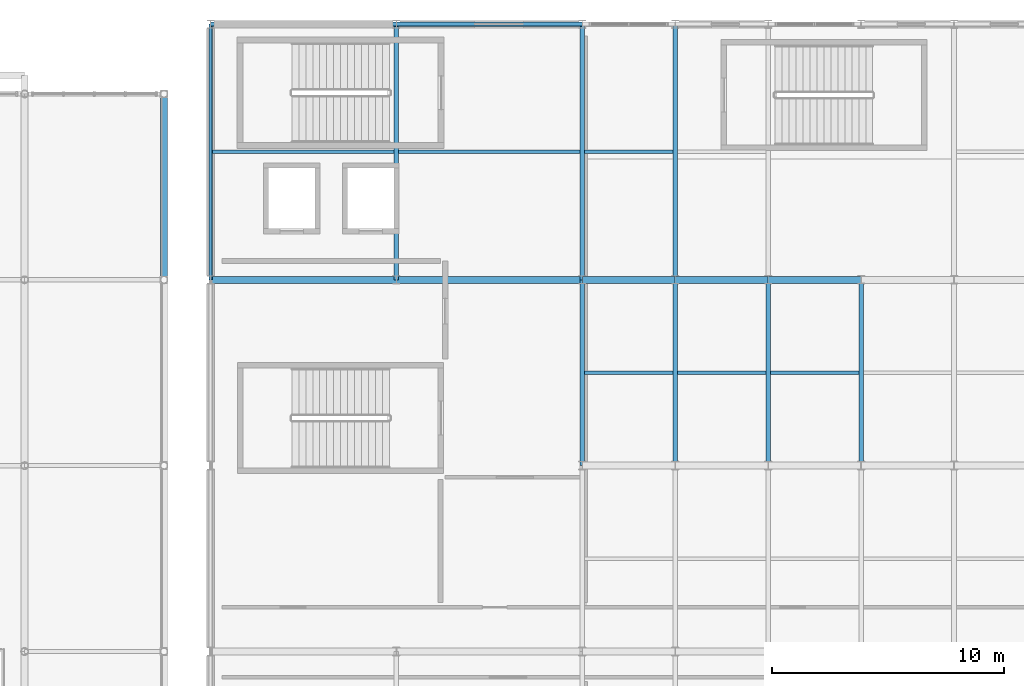
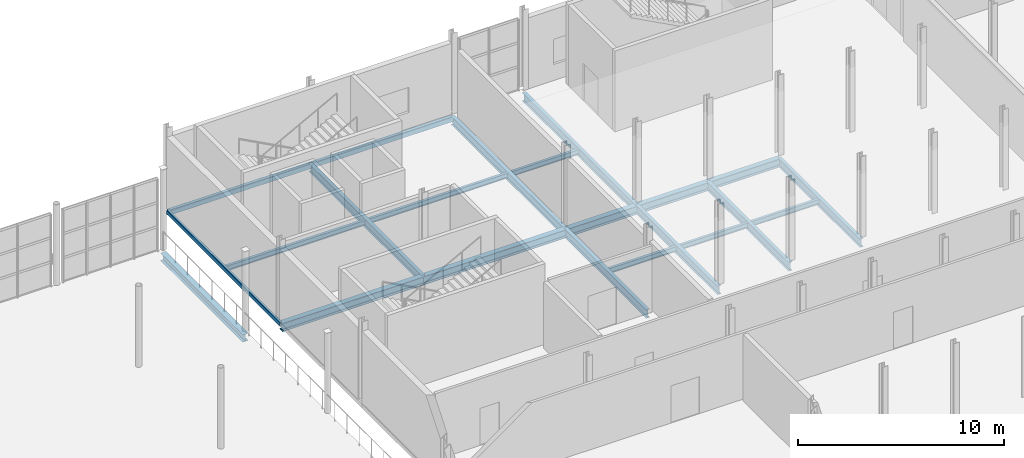
# One storey, part 75 of 143: 22 beams.
"""IFC4 building model written with IfcOpenShell, lengths in metres."""

import ifcopenshell
import ifcopenshell.guid

model = None  # the IFC model being written
_history = None  # IfcOwnerHistory: only IFC2X3 demands one
_inside = {}  # id of a spatial element -> (the spatial element, [elements in it])
_under = {}  # id of a project, library or spatial element -> (it, [spatial elements below it])
_declared = {}  # id of a project -> (the project, [libraries it declares])
_typed = {}  # id of a type object -> (the type object, [elements of that type])
_made_of = {}  # id of a material, layer set ... -> (it, [elements and type objects made of it])


def new_model(schema):
    """Start an empty IFC model of exactly this schema.

    Asked for "IFC4X3", IfcOpenShell would pick the latest addendum, in which some entities
    have other attributes; the version numbers below select the first issue.
    IFC2X3 requires an IfcOwnerHistory on every rooted entity: one is made here for all.
    """
    global model, _history
    if schema == "IFC4X3":
        model = ifcopenshell.file(schema_version=(4, 3, 0, 0))
    else:
        model = ifcopenshell.file(schema=schema)
    _inside.clear()
    _under.clear()
    _declared.clear()
    _typed.clear()
    _made_of.clear()
    _history = None
    if model.schema == "IFC2X3":
        org = make("IfcOrganization", Name="unknown")
        user = make(
            "IfcPersonAndOrganization",
            ThePerson=make("IfcPerson", FamilyName="unknown"),
            TheOrganization=org,
        )
        app = make(
            "IfcApplication",
            ApplicationDeveloper=org,
            Version="unknown",
            ApplicationFullName="unknown",
            ApplicationIdentifier="unknown",
        )
        _history = make(
            "IfcOwnerHistory",
            OwningUser=user,
            OwningApplication=app,
            ChangeAction="ADDED",
            CreationDate=0,
        )
    return model


def make(cls, **values):
    """One entity of the class cls with the attributes given. An attribute that is None is left unset."""
    return model.create_entity(
        cls, **{name: value for name, value in values.items() if value is not None}
    )


def rooted(cls, **values):
    """An entity with a GlobalId (a new one), such as an element, a storey or a relation."""
    return make(cls, GlobalId=ifcopenshell.guid.new(), OwnerHistory=_history, **values)


def si_unit(unit_type, name, prefix=None):
    """IfcSIUnit, for example si_unit("LENGTHUNIT", "METRE", prefix="MILLI")."""
    return make("IfcSIUnit", UnitType=unit_type, Prefix=prefix, Name=name)


def derived_unit(unit_type, elements):
    """IfcDerivedUnit: a product of units, each with its exponent."""
    return make(
        "IfcDerivedUnit",
        Elements=[
            make("IfcDerivedUnitElement", Unit=unit, Exponent=power)
            for unit, power in elements
        ],
        UnitType=unit_type,
    )


def assignment(units):
    """IfcUnitAssignment: the units of a project."""
    return None if units is None else make("IfcUnitAssignment", Units=units)


def point(xyz):
    """IfcCartesianPoint."""
    return None if xyz is None else make("IfcCartesianPoint", Coordinates=xyz)


def direction(xyz):
    """IfcDirection."""
    return None if xyz is None else make("IfcDirection", DirectionRatios=xyz)


def frame(location, z_axis=None, x_axis=None):
    """IfcAxis2Placement3D, a coordinate frame: its origin and axes. An axis left out is left unset."""
    return make(
        "IfcAxis2Placement3D",
        Location=point(location),
        Axis=direction(z_axis),
        RefDirection=direction(x_axis),
    )


def frame_2d(location, x_axis=None):
    """IfcAxis2Placement2D, a coordinate frame in the plane: its origin and x axis."""
    return make(
        "IfcAxis2Placement2D", Location=point(location), RefDirection=direction(x_axis)
    )


def origin():
    """The frame at (0, 0, 0) with its axes left unset."""
    return frame((0.0, 0.0, 0.0))


def origin_2d():
    """The frame at (0, 0) in the plane with its x axis left unset."""
    return frame_2d((0.0, 0.0))


def place(relative_to, where):
    """IfcLocalPlacement: puts the frame where relative to a parent placement (None: the world)."""
    return make(
        "IfcLocalPlacement", PlacementRelTo=relative_to, RelativePlacement=where
    )


def context(
    kind, dimensions, precision=None, world=None, true_north=None, identifier=None
):
    """IfcGeometricRepresentationContext, for example the 3D "Model" context."""
    return make(
        "IfcGeometricRepresentationContext",
        ContextIdentifier=identifier,
        ContextType=kind,
        CoordinateSpaceDimension=dimensions,
        Precision=precision,
        WorldCoordinateSystem=world,
        TrueNorth=true_north,
    )


def subcontext(parent, identifier, kind, view, scale=None):
    """IfcGeometricRepresentationSubContext, for example "Body" below "Model"."""
    return make(
        "IfcGeometricRepresentationSubContext",
        ContextIdentifier=identifier,
        ContextType=kind,
        ParentContext=parent,
        TargetScale=scale,
        TargetView=view,
    )


def project(units=None, contexts=None):
    """IfcProject with its units and contexts."""
    return rooted(
        "IfcProject",
        Name="project",
        RepresentationContexts=contexts,
        UnitsInContext=assignment(units),
    )


def spatial(cls, under=None, at=None, **own):
    """A site, building, storey or space (cls), placed at a placement, below another one or the project."""
    s = rooted(cls, ObjectPlacement=at, **own)
    if under is not None:
        _under.setdefault(under.id(), (under, []))[1].append(s)
    return s


def profile(cls, at=None, kind="AREA", **sizes):
    """A parametric profile (cls). Its sizes go by their IFC names, for example OverallWidth=200.0."""
    return make(cls, ProfileType=kind, Position=at, **sizes)


def hollow_rectangle(**sizes):
    """IfcRectangleHollowProfileDef."""
    return profile("IfcRectangleHollowProfileDef", **sizes)


def i_section(**sizes):
    """IfcIShapeProfileDef."""
    return profile("IfcIShapeProfileDef", **sizes)


def extrude(swept, where, along, depth):
    """IfcExtrudedAreaSolid: the profile swept, set in the frame where, extruded along a direction by depth."""
    return make(
        "IfcExtrudedAreaSolid",
        SweptArea=swept,
        Position=where,
        ExtrudedDirection=direction(along),
        Depth=depth,
    )


def shape(context_of_items, identifier, shape_type, items):
    """IfcShapeRepresentation: the items that make up one representation, for example the "Body"."""
    return make(
        "IfcShapeRepresentation",
        ContextOfItems=context_of_items,
        RepresentationIdentifier=identifier,
        RepresentationType=shape_type,
        Items=items,
    )


def material(Name=None, Category=None):
    """IfcMaterial."""
    return make("IfcMaterial", Name=Name, Category=Category)


def material_profile(
    of_material, cross_section, Name=None, Category=None, Priority=None
):
    """IfcMaterialProfile: a cross section and its material."""
    return make(
        "IfcMaterialProfile",
        Name=Name,
        Material=of_material,
        Profile=cross_section,
        Priority=Priority,
        Category=Category,
    )


def profile_set(profiles, Name=None, composite=None):
    """IfcMaterialProfileSet."""
    return make(
        "IfcMaterialProfileSet",
        Name=Name,
        MaterialProfiles=profiles,
        CompositeProfile=composite,
    )


def made_of(thing, what):
    """Note that an element or type object is made of a material, layer set ...; save() writes the relation."""
    if what is not None:
        _made_of.setdefault(what.id(), (what, []))[1].append(thing)
    return thing


def type_object(cls, material=None, **own):
    """A type object (cls), such as IfcWallType, which elements share."""
    return made_of(rooted(cls, **own), material)


def element(
    cls,
    number,
    at=None,
    inside=None,
    cuts=None,
    type_object=None,
    material=None,
    context=None,
    identifier="Body",
    shape_type=None,
    held_by="IfcProductDefinitionShape",
    body=None,
    shapes=None,
    **own,
):
    """One element of the class cls, such as IfcWall. Its Tag is "e" and its number.

    at: its placement. inside: the storey or other place that contains it. cuts: it is an
    opening in that element (IfcRelVoidsElement). A single representation is given by context,
    identifier, shape_type and body (its items); several are given by shapes. held_by: the class
    of the entity that holds the representations. save() writes the other relations.
    """
    e = rooted(cls, Tag="e%d" % number, ObjectPlacement=at, **own)
    if body is not None:
        shapes = [shape(context, identifier, shape_type, body)]
    if shapes is not None:
        e.Representation = make(held_by, Representations=shapes)
    if inside is not None:
        _inside.setdefault(inside.id(), (inside, []))[1].append(e)
    if cuts is not None:
        rooted(
            "IfcRelVoidsElement", RelatingBuildingElement=cuts, RelatedOpeningElement=e
        )
    if type_object is not None:
        _typed.setdefault(type_object.id(), (type_object, []))[1].append(e)
    return made_of(e, material)


def aggregate(whole, parts):
    """IfcRelAggregates: a whole, such as a stair, and the parts it consists of."""
    return rooted("IfcRelAggregates", RelatingObject=whole, RelatedObjects=parts)


def save(model, path):
    """Write the relations noted so far, then the file.

    IfcRelAggregates (storeys below a building ...), IfcRelContainedInSpatialStructure (elements
    in a storey), IfcRelDefinesByType, IfcRelAssociatesMaterial and IfcRelDeclares: one each for
    every whole, place, type object, material and project.
    """
    for whole, parts in _under.values():
        aggregate(whole, parts)
    for where, things in _inside.values():
        rooted(
            "IfcRelContainedInSpatialStructure",
            RelatedElements=things,
            RelatingStructure=where,
        )
    for kind, things in _typed.values():
        rooted("IfcRelDefinesByType", RelatedObjects=things, RelatingType=kind)
    for what, things in _made_of.values():
        rooted("IfcRelAssociatesMaterial", RelatedObjects=things, RelatingMaterial=what)
    for by, libraries in _declared.values():
        rooted("IfcRelDeclares", RelatingContext=by, RelatedDefinitions=libraries)
    model.write(path)


model = new_model("IFC4")

# Units and contexts
model_context = context("Model", 3, precision=1e-05, world=origin(), true_north=direction((0.0, 1.0)))
body_context = subcontext(model_context, "Body", "Model", "MODEL_VIEW")
ifc_project = project(units=[si_unit("LENGTHUNIT", "METRE"), si_unit("AREAUNIT", "SQUARE_METRE"), si_unit("VOLUMEUNIT", "CUBIC_METRE"), si_unit("PLANEANGLEUNIT", "RADIAN"), si_unit("MASSUNIT", "GRAM", prefix="KILO"), derived_unit("THERMALTRANSMITTANCEUNIT", [(si_unit("POWERUNIT", "WATT"), 1), (si_unit("LENGTHUNIT", "METRE"), -2), (si_unit("THERMODYNAMICTEMPERATUREUNIT", "KELVIN"), -1)])], contexts=[model_context])

# Site, building, storey
site_placement = place(None, origin())
site = spatial("IfcSite", under=ifc_project, at=site_placement, CompositionType="ELEMENT")
building_placement = place(site_placement, origin())
building = spatial("IfcBuilding", under=site, at=building_placement, Name="Keldorne Ridge Multi-Sports Centre", CompositionType="ELEMENT")
storey_placement = place(building_placement, frame((0.0, 0.0, 4.800048828125)))
storey = spatial("IfcBuildingStorey", under=building, at=storey_placement, Name="L01", CompositionType="ELEMENT", Elevation=4.800048828125)

# Beams
ifc_material = material(Name="Steel S355", Category="steel")
ifc_material_profile_1 = material_profile(ifc_material, i_section(OverallWidth=0.199951171875, OverallDepth=0.5, WebThickness=0.01025390625, FlangeThickness=0.01611328125, FilletRadius=0.02099609375, at=origin_2d()), Name="IPE 500")
ifc_profile_set_1 = profile_set([ifc_material_profile_1], Name="Steel S355")
beam_type_1 = type_object("IfcBeamType", Name="BM-B-02", PredefinedType="BEAM", material=ifc_profile_set_1)
beam_1_placement = place(storey_placement, frame((112.0, 106.0, -0.469970703125), z_axis=(0.0, 1.0, 0.0), x_axis=(-1.0, 0.0, 0.0)))
element("IfcBeam", 1, at=beam_1_placement, inside=storey, type_object=beam_type_1, Name="L01 primary girder 112.6", PredefinedType="BEAM", context=body_context, shape_type="SweptSolid", body=[
    extrude(i_section(OverallWidth=0.199951171875, OverallDepth=0.5, WebThickness=0.01025390625, FlangeThickness=0.01611328125, FilletRadius=0.02099609375, at=origin_2d()), origin(), (0.0, 0.0, 1.0), 11.0),
])
beam_2_placement = place(storey_placement, frame((120.0, 98.0, -0.469970703125), z_axis=(0.0, 1.0, 0.0), x_axis=(-1.0, 0.0, 0.0)))
element("IfcBeam", 2, at=beam_2_placement, inside=storey, type_object=beam_type_1, Name="L01 primary girder 120.5", PredefinedType="BEAM", context=body_context, shape_type="SweptSolid", body=[
    extrude(i_section(OverallWidth=0.199951171875, OverallDepth=0.5, WebThickness=0.01025390625, FlangeThickness=0.01611328125, FilletRadius=0.02099609375, at=origin_2d()), origin(), (0.0, 0.0, 1.0), 8.0),
])
beam_3_placement = place(storey_placement, frame((120.0, 106.0, -0.469970703125), z_axis=(0.0, 1.0, 0.0), x_axis=(-1.0, 0.0, 0.0)))
element("IfcBeam", 3, at=beam_3_placement, inside=storey, type_object=beam_type_1, Name="L01 primary girder 120.6", PredefinedType="BEAM", context=body_context, shape_type="SweptSolid", body=[
    extrude(i_section(OverallWidth=0.199951171875, OverallDepth=0.5, WebThickness=0.01025390625, FlangeThickness=0.01611328125, FilletRadius=0.02099609375, at=origin_2d()), origin(), (0.0, 0.0, 1.0), 11.0),
])
beam_4_placement = place(storey_placement, frame((124.0, 98.0, -0.469970703125), z_axis=(0.0, 1.0, 0.0), x_axis=(-1.0, 0.0, 0.0)))
element("IfcBeam", 4, at=beam_4_placement, inside=storey, type_object=beam_type_1, Name="L01 primary girder 124.5", PredefinedType="BEAM", context=body_context, shape_type="SweptSolid", body=[
    extrude(i_section(OverallWidth=0.199951171875, OverallDepth=0.5, WebThickness=0.01025390625, FlangeThickness=0.01611328125, FilletRadius=0.02099609375, at=origin_2d()), origin(), (0.0, 0.0, 1.0), 8.0),
])
beam_5_placement = place(storey_placement, frame((124.0, 106.0, -0.469970703125), z_axis=(0.0, 1.0, 0.0), x_axis=(-1.0, 0.0, 0.0)))
element("IfcBeam", 5, at=beam_5_placement, inside=storey, type_object=beam_type_1, Name="L01 primary girder 124.6", PredefinedType="BEAM", context=body_context, shape_type="SweptSolid", body=[
    extrude(i_section(OverallWidth=0.199951171875, OverallDepth=0.5, WebThickness=0.01025390625, FlangeThickness=0.01611328125, FilletRadius=0.02099609375, at=origin_2d()), origin(), (0.0, 0.0, 1.0), 11.0),
])
for number, where, z_axis, x_axis, name in (
    (6, (128.0, 98.0, -0.469970703125), (0.0, 1.0, 0.0), (-1.0, 0.0, 0.0), "L01 primary girder 128.5"),
    (7, (132.0, 98.0, -0.469970703125), (0.0, 1.0, 0.0), (-1.0, 0.0, 0.0), "L01 primary girder 132.5"),
):
    element("IfcBeam", number, at=place(storey_placement, frame(where, z_axis=z_axis, x_axis=x_axis)), inside=storey, type_object=beam_type_1, Name=name, PredefinedType="BEAM", context=body_context, shape_type="SweptSolid", body=[
        extrude(i_section(OverallWidth=0.199951171875, OverallDepth=0.5, WebThickness=0.01025390625, FlangeThickness=0.01611328125, FilletRadius=0.02099609375, at=origin_2d()), origin(), (0.0, 0.0, 1.0), 8.0),
    ])
ifc_material_profile_2 = material_profile(ifc_material, i_section(OverallWidth=0.300048828125, OverallDepth=0.489990234375, WebThickness=0.011962890625, FlangeThickness=0.02294921875, FilletRadius=0.027099609375, at=origin_2d()), Name="HEA 500")
ifc_profile_set_2 = profile_set([ifc_material_profile_2], Name="Steel S355")
beam_type_2 = type_object("IfcBeamType", Name="BM-B-08", PredefinedType="BEAM", material=ifc_profile_set_2)
for number, where, z_axis, x_axis, name in (
    (8, (104.0, 106.0, -0.465087890625), (1.0, 0.0, 0.0), (0.0, 1.0, 0.0), "L01 primary beam 1.106"),
    (9, (112.0, 106.0, -0.465087890625), (1.0, 0.0, 0.0), (0.0, 1.0, 0.0), "L01 primary beam 2.106"),
):
    element("IfcBeam", number, at=place(storey_placement, frame(where, z_axis=z_axis, x_axis=x_axis)), inside=storey, type_object=beam_type_2, Name=name, PredefinedType="BEAM", context=body_context, shape_type="SweptSolid", body=[
        extrude(i_section(OverallWidth=0.300048828125, OverallDepth=0.489990234375, WebThickness=0.011962890625, FlangeThickness=0.02294921875, FilletRadius=0.027099609375, at=origin_2d()), origin(), (0.0, 0.0, 1.0), 8.0),
    ])
for number, where, z_axis, x_axis, name in (
    (10, (120.0, 106.0, -0.465087890625), (1.0, 0.0, 0.0), (0.0, 1.0, 0.0), "L01 primary beam 3.106"),
    (11, (124.0, 106.0, -0.465087890625), (1.0, 0.0, 0.0), (0.0, 1.0, 0.0), "L01 primary beam 4.106"),
    (12, (128.0, 106.0, -0.465087890625), (1.0, 0.0, 0.0), (0.0, 1.0, 0.0), "L01 primary beam 5.106"),
):
    element("IfcBeam", number, at=place(storey_placement, frame(where, z_axis=z_axis, x_axis=x_axis)), inside=storey, type_object=beam_type_2, Name=name, PredefinedType="BEAM", context=body_context, shape_type="SweptSolid", body=[
        extrude(i_section(OverallWidth=0.300048828125, OverallDepth=0.489990234375, WebThickness=0.011962890625, FlangeThickness=0.02294921875, FilletRadius=0.027099609375, at=origin_2d()), origin(), (0.0, 0.0, 1.0), 4.0),
    ])
ifc_material_profile_3 = material_profile(ifc_material, i_section(OverallWidth=0.300048828125, OverallDepth=0.449951171875, WebThickness=0.013916015625, FlangeThickness=0.02587890625, FilletRadius=0.027099609375, at=origin_2d()), Name="HEB 450")
ifc_profile_set_3 = profile_set([ifc_material_profile_3], Name="Steel S355")
beam_type_3 = type_object("IfcBeamType", Name="BM-B-11", PredefinedType="BEAM", material=ifc_profile_set_3)
beam_6_placement = place(storey_placement, frame((102.0, 106.0, -0.445068359375), z_axis=(0.0, 1.0, 0.0), x_axis=(-1.0, 0.0, 0.0)))
element("IfcBeam", 13, at=beam_6_placement, inside=storey, type_object=beam_type_3, Name="L01 passage girder G15.13", PredefinedType="BEAM", context=body_context, shape_type="SweptSolid", body=[
    extrude(i_section(OverallWidth=0.300048828125, OverallDepth=0.449951171875, WebThickness=0.013916015625, FlangeThickness=0.02587890625, FilletRadius=0.027099609375, at=origin_2d()), origin(), (0.0, 0.0, 1.0), 8.0),
])
ifc_material_profile_4 = material_profile(ifc_material, i_section(OverallWidth=0.14990234375, OverallDepth=0.300048828125, WebThickness=0.007080078125, FlangeThickness=0.0107421875, FilletRadius=0.014892578125, at=origin_2d()), Name="IPE 300")
ifc_profile_set_4 = profile_set([ifc_material_profile_4], Name="Steel S355")
beam_type_4 = type_object("IfcBeamType", Name="BM-J-02", PredefinedType="JOIST", material=ifc_profile_set_4)
beam_7_placement = place(storey_placement, frame((104.074951171875, 111.5, -0.3701171875), z_axis=(1.0, 0.0, 0.0), x_axis=(0.0, 1.0, 0.0)))
element("IfcBeam", 14, at=beam_7_placement, inside=storey, type_object=beam_type_4, Name="L01 secondary joist 1.6", PredefinedType="JOIST", context=body_context, shape_type="SweptSolid", body=[
    extrude(i_section(OverallWidth=0.14990234375, OverallDepth=0.300048828125, WebThickness=0.007080078125, FlangeThickness=0.0107421875, FilletRadius=0.014892578125, at=origin_2d()), origin(), (0.0, 0.0, 1.0), 7.824951171875),
])
beam_8_placement = place(storey_placement, frame((112.10009765625, 111.5, -0.3701171875), z_axis=(1.0, 0.0, 0.0), x_axis=(0.0, 1.0, 0.0)))
element("IfcBeam", 15, at=beam_8_placement, inside=storey, type_object=beam_type_4, Name="L01 secondary joist 2.6", PredefinedType="JOIST", context=body_context, shape_type="SweptSolid", body=[
    extrude(i_section(OverallWidth=0.14990234375, OverallDepth=0.300048828125, WebThickness=0.007080078125, FlangeThickness=0.0107421875, FilletRadius=0.014892578125, at=origin_2d()), origin(), (0.0, 0.0, 1.0), 7.7998046875),
])
for number, where, z_axis, x_axis, name in (
    (16, (120.10009765625, 102.0, -0.3701171875), (1.0, 0.0, 0.0), (0.0, 1.0, 0.0), "L01 secondary joist 3.5"),
    (17, (120.10009765625, 111.5, -0.3701171875), (1.0, 0.0, 0.0), (0.0, 1.0, 0.0), "L01 secondary joist 3.6"),
    (18, (124.10009765625, 102.0, -0.3701171875), (1.0, 0.0, 0.0), (0.0, 1.0, 0.0), "L01 secondary joist 4.5"),
    (19, (128.10009765625, 102.0, -0.3701171875), (1.0, 0.0, 0.0), (0.0, 1.0, 0.0), "L01 secondary joist 5.5"),
):
    element("IfcBeam", number, at=place(storey_placement, frame(where, z_axis=z_axis, x_axis=x_axis)), inside=storey, type_object=beam_type_4, Name=name, PredefinedType="JOIST", context=body_context, shape_type="SweptSolid", body=[
        extrude(i_section(OverallWidth=0.14990234375, OverallDepth=0.300048828125, WebThickness=0.007080078125, FlangeThickness=0.0107421875, FilletRadius=0.014892578125, at=origin_2d()), origin(), (0.0, 0.0, 1.0), 3.7998046875),
    ])
ifc_material_profile_5 = material_profile(ifc_material, hollow_rectangle(XDim=0.199951171875, YDim=0.300048828125, WallThickness=0.012451171875, InnerFilletRadius=0.012451171875, OuterFilletRadius=0.02490234375, at=origin_2d()), Name="RHS 300x200x12.5")
ifc_profile_set_5 = profile_set([ifc_material_profile_5], Name="Steel S355")
beam_type_5 = type_object("IfcBeamType", Name="BM-SP-01", PredefinedType="SPANDREL", material=ifc_profile_set_5)
for number, where, z_axis, x_axis, name in (
    (20, (104.0, 117.0, -0.3701171875), (1.0, 0.0, 0.0), (0.0, 1.0, 0.0), "L01 primary beam 1.117"),
    (21, (112.0, 117.0, -0.3701171875), (1.0, 0.0, 0.0), (0.0, 1.0, 0.0), "L01 primary beam 2.117"),
):
    element("IfcBeam", number, at=place(storey_placement, frame(where, z_axis=z_axis, x_axis=x_axis)), inside=storey, type_object=beam_type_5, Name=name, PredefinedType="SPANDREL", context=body_context, shape_type="SweptSolid", body=[
        extrude(hollow_rectangle(XDim=0.199951171875, YDim=0.300048828125, WallThickness=0.012451171875, InnerFilletRadius=0.012451171875, OuterFilletRadius=0.02490234375, at=origin_2d()), origin(), (0.0, 0.0, 1.0), 8.0),
    ])
ifc_material_profile_6 = material_profile(ifc_material, hollow_rectangle(XDim=0.14990234375, YDim=0.25, WallThickness=0.010009765625, InnerFilletRadius=0.010009765625, OuterFilletRadius=0.02001953125, at=origin_2d()), Name="RHS 250x150x10")
ifc_profile_set_6 = profile_set([ifc_material_profile_6], Name="Steel S355")
beam_type_6 = type_object("IfcBeamType", Name="BM-SP-02", PredefinedType="SPANDREL", material=ifc_profile_set_6)
beam_9_placement = place(storey_placement, frame((104.0, 106.0, -0.344970703125), z_axis=(0.0, 1.0, 0.0), x_axis=(-1.0, 0.0, 0.0)))
element("IfcBeam", 22, at=beam_9_placement, inside=storey, type_object=beam_type_6, Name="L01 primary girder 104.6", PredefinedType="SPANDREL", context=body_context, shape_type="SweptSolid", body=[
    extrude(hollow_rectangle(XDim=0.14990234375, YDim=0.25, WallThickness=0.010009765625, InnerFilletRadius=0.010009765625, OuterFilletRadius=0.02001953125, at=origin_2d()), origin(), (0.0, 0.0, 1.0), 11.0),
])

save(model, "model.ifc")
